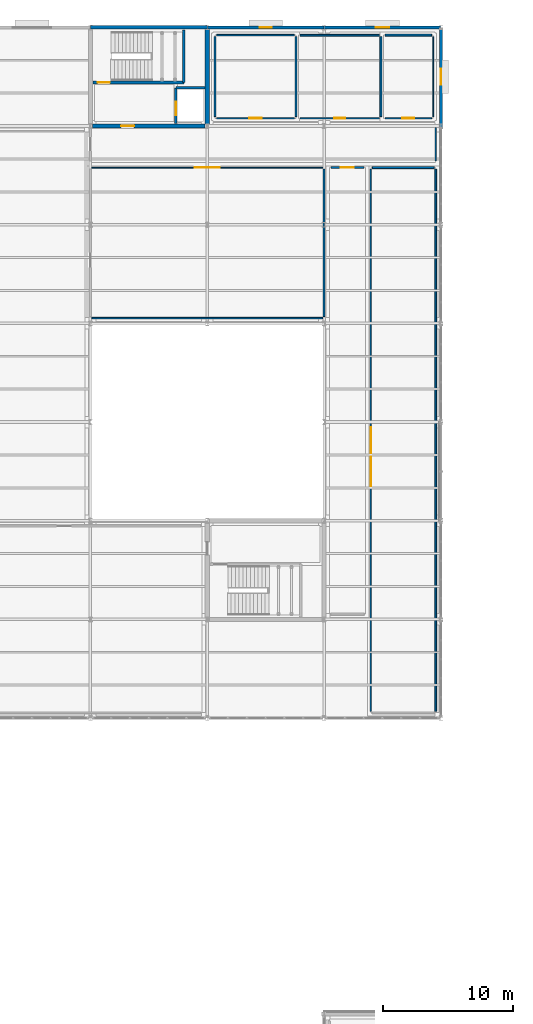
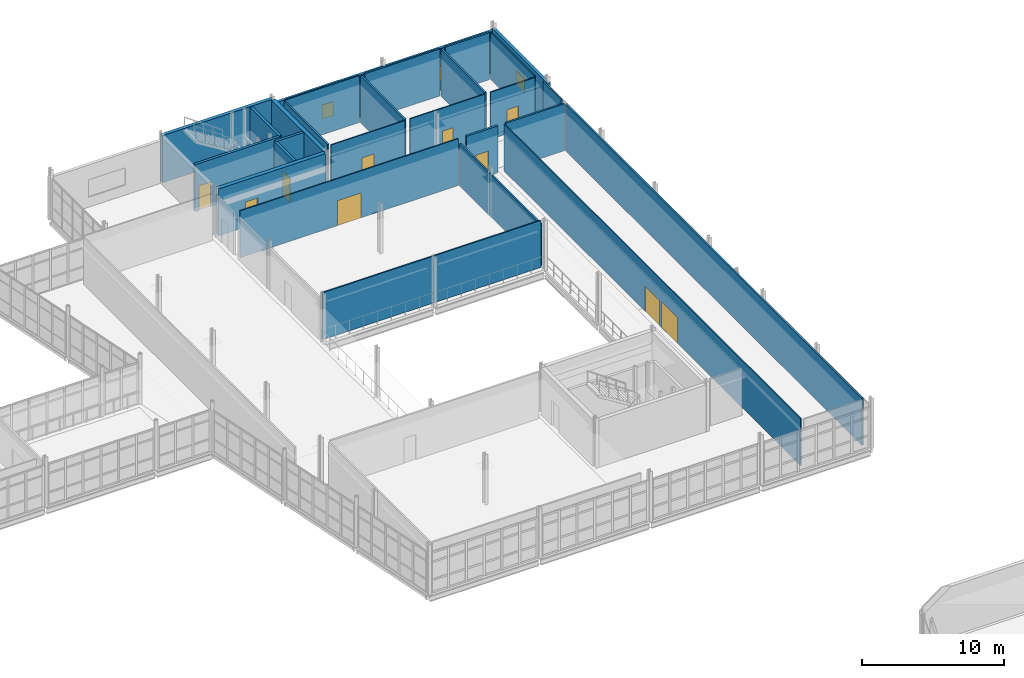
# One storey, part 163 of 174: 28 walls, 10 doors, 3 windows, 13 openings.
"""IFC4 building model written with IfcOpenShell, lengths in metres."""

from ifc_helpers import new_model, si_unit, direction, frame, frame_2d, origin, place, context, subcontext, project, spatial, rectangle, extrude, material, layer, layer_set, type_object, element, fill, save


model = new_model("IFC4")

# Units and contexts
model_context = context("Model", 3, precision=1e-05, world=origin(), true_north=direction((0.0, 1.0)))
body_context = subcontext(model_context, "Body", "Model", "MODEL_VIEW")
ifc_project = project(units=[si_unit("LENGTHUNIT", "METRE"), si_unit("AREAUNIT", "SQUARE_METRE"), si_unit("VOLUMEUNIT", "CUBIC_METRE"), si_unit("PLANEANGLEUNIT", "RADIAN"), si_unit("MASSUNIT", "GRAM", prefix="KILO")], contexts=[model_context])

# Site, building, storey
site_placement = place(None, origin())
site = spatial("IfcSite", under=ifc_project, at=site_placement, CompositionType="ELEMENT")
building_placement = place(site_placement, origin())
building = spatial("IfcBuilding", under=site, at=building_placement, Name="Caisbarro Railhouse Central Library", CompositionType="ELEMENT")
storey_placement = place(building_placement, frame((0.0, 0.0, 5.0400390625)))
storey = spatial("IfcBuildingStorey", under=building, at=storey_placement, Name="L01", CompositionType="ELEMENT", Elevation=5.0400390625)

# Wall, opening, door
ifc_material_1 = material(Name="Concrete C40", Category="concrete")
ifc_layer_1 = layer(ifc_material_1, 0.320068359375, Name="Concrete C40")
ifc_layer_set_1 = layer_set([ifc_layer_1], Name="Concrete C40")
wall_type_1 = type_object("IfcWallType", Name="WAL-CW32", PredefinedType="SHEAR", material=ifc_layer_set_1)
wall_1_placement = place(storey_placement, frame((126.159912109375, 106.39990234375, 0.0), z_axis=(0.0, 0.0, 1.0), x_axis=(1.0, 0.0, 0.0)))
wall_1 = element("IfcWall", 1, at=wall_1_placement, inside=storey, type_object=wall_type_1, Name="CW32 RC core shear wall L01 #43", PredefinedType="SHEAR", context=body_context, shape_type="SweptSolid", body=[
    extrude(rectangle(XDim=8.68017578125, YDim=0.320068359375, at=frame_2d((4.340087890625, 0.0))), origin(), (0.0, 0.0, 1.0), 4.0400390625),
])
opening_1_placement = place(wall_1_placement, frame((2.199951171875, 0.0, 0.0)))
opening_1 = element("IfcOpeningElement", 2, at=opening_1_placement, cuts=wall_1, Name="Opening FD05", PredefinedType="OPENING", context=body_context, shape_type="SweptSolid", body=[
    extrude(rectangle(XDim=1.0, YDim=2.14990234375, at=frame_2d((0.5, 1.074951171875))), frame((0.0, 0.169921875, 0.0), z_axis=(0.0, -1.0, 0.0), x_axis=(1.0, 0.0, 0.0)), (0.0, 0.0, 1.0), 0.340087890625),
])
ifc_material_2 = material(Name="Fire-rated painted galvanised steel", Category="steel")
door_type_1 = type_object("IfcDoorType", Name="DR-FD05", OperationType="NOTDEFINED", PredefinedType="DOOR", material=ifc_material_2)
door_1_placement = place(opening_1_placement, origin())
door_1 = element("IfcDoor", 3, at=door_1_placement, inside=storey, type_object=door_type_1, Name="Core K3 Lobby Door FD05 L01-090", OperationType="SINGLE_SWING_RIGHT", OverallHeight=2.14990234375, OverallWidth=1.0, PredefinedType="DOOR", context=body_context, shape_type="SweptSolid", body=[
    extrude(rectangle(XDim=1.0, YDim=2.14990234375, at=frame_2d((0.5, 1.074951171875))), frame((0.0, 0.02490234375, 0.0), z_axis=(0.0, -1.0, 0.0), x_axis=(1.0, 0.0, 0.0)), (0.0, 0.0, 1.0), 0.050048828125),
])
fill(opening_1, door_1)

# Wall
wall_2_placement = place(storey_placement, frame((135.0, 106.56005859375, 0.0), z_axis=(0.0, 0.0, 1.0), x_axis=(0.0, 1.0, 0.0)))
element("IfcWall", 4, at=wall_2_placement, inside=storey, type_object=wall_type_1, Name="CW32 RC core shear wall L01 #45", PredefinedType="SHEAR", context=body_context, shape_type="SweptSolid", body=[
    extrude(rectangle(XDim=7.280029296875, YDim=0.320068359375, at=frame_2d((3.64013671875, 0.0))), origin(), (0.0, 0.0, 1.0), 4.0400390625),
])

# Wall, opening, window
ifc_material_3 = material(Name="Concrete C35 insulated architectural precast", Category="concrete")
ifc_layer_2 = layer(ifc_material_3, 0.239990234375, Name="Concrete C35 insulated architectural precast")
ifc_layer_set_2 = layer_set([ifc_layer_2], Name="Concrete C35 insulated architectural precast")
wall_type_2 = type_object("IfcWallType", Name="WAL-EW24", PredefinedType="STANDARD", material=ifc_layer_set_2)
wall_3_placement = place(storey_placement, frame((135.0, 114.0, 0.0), z_axis=(0.0, 0.0, 1.0), x_axis=(1.0, 0.0, 0.0)))
wall_3 = element("IfcWall", 5, at=wall_3_placement, inside=storey, type_object=wall_type_2, Name="EW24 exterior wall L01 #210", PredefinedType="STANDARD", context=body_context, shape_type="SweptSolid", body=[
    extrude(rectangle(XDim=9.0, YDim=0.239990234375, at=frame_2d((4.5, 0.0))), origin(), (0.0, 0.0, 1.0), 3.630859375),
])
opening_2_placement = place(wall_3_placement, frame((4.050048828125, 0.0, 0.85009765625)))
opening_2 = element("IfcOpeningElement", 6, at=opening_2_placement, cuts=wall_3, Name="Opening W01", PredefinedType="OPENING", context=body_context, shape_type="SweptSolid", body=[
    extrude(rectangle(XDim=0.89990234375, YDim=1.199951171875, at=frame_2d((0.449951171875, 0.60009765625))), frame((0.0, 0.1298828125, 0.0), z_axis=(0.0, -1.0, 0.0), x_axis=(1.0, 0.0, 0.0)), (0.0, 0.0, 1.0), 0.260009765625),
])
ifc_material_4 = material(Name="Double low-e laminated solar-control glass", Category="glass")
window_type_1 = type_object("IfcWindowType", Name="WIN-W01", PartitioningType="SINGLE_PANEL", PredefinedType="WINDOW", material=ifc_material_4)
window_1_placement = place(opening_2_placement, origin())
window_1 = element("IfcWindow", 7, at=window_1_placement, inside=storey, type_object=window_type_1, Name="W01 window L01-069", OverallHeight=1.199951171875, OverallWidth=0.89990234375, PartitioningType="SINGLE_PANEL", PredefinedType="WINDOW", context=body_context, shape_type="SweptSolid", body=[
    extrude(rectangle(XDim=0.89990234375, YDim=1.199951171875, at=frame_2d((0.449951171875, 0.60009765625))), frame((0.0, 0.030029296875, 0.0), z_axis=(0.0, -1.0, 0.0), x_axis=(1.0, 0.0, 0.0)), (0.0, 0.0, 1.0), 0.06005859375),
])
fill(opening_2, window_1)

wall_4_placement = place(storey_placement, frame((144.0, 114.0, 0.0), z_axis=(0.0, 0.0, 1.0), x_axis=(1.0, 0.0, 0.0)))
wall_4 = element("IfcWall", 8, at=wall_4_placement, inside=storey, type_object=wall_type_2, Name="EW24 exterior wall L01 #211", PredefinedType="STANDARD", context=body_context, shape_type="SweptSolid", body=[
    extrude(rectangle(XDim=9.0, YDim=0.239990234375, at=frame_2d((4.5, 0.0))), origin(), (0.0, 0.0, 1.0), 3.630859375),
])
opening_3_placement = place(wall_4_placement, frame((3.97509765625, 0.0, 0.85009765625)))
opening_3 = element("IfcOpeningElement", 9, at=opening_3_placement, cuts=wall_4, Name="Opening W02", PredefinedType="OPENING", context=body_context, shape_type="SweptSolid", body=[
    extrude(rectangle(XDim=1.050048828125, YDim=1.199951171875, at=frame_2d((0.52490234375, 0.60009765625))), frame((0.0, 0.1298828125, 0.0), z_axis=(0.0, -1.0, 0.0), x_axis=(1.0, 0.0, 0.0)), (0.0, 0.0, 1.0), 0.260009765625),
])
window_type_2 = type_object("IfcWindowType", Name="WIN-W02", PartitioningType="SINGLE_PANEL", PredefinedType="WINDOW", material=ifc_material_4)
window_2_placement = place(opening_3_placement, origin())
window_2 = element("IfcWindow", 10, at=window_2_placement, inside=storey, type_object=window_type_2, Name="W02 window L01-070", OverallHeight=1.199951171875, OverallWidth=1.050048828125, PartitioningType="SINGLE_PANEL", PredefinedType="WINDOW", context=body_context, shape_type="SweptSolid", body=[
    extrude(rectangle(XDim=1.050048828125, YDim=1.199951171875, at=frame_2d((0.52490234375, 0.60009765625))), frame((0.0, 0.030029296875, 0.0), z_axis=(0.0, -1.0, 0.0), x_axis=(1.0, 0.0, 0.0)), (0.0, 0.0, 1.0), 0.06005859375),
])
fill(opening_3, window_2)

wall_5_placement = place(storey_placement, frame((153.0, 106.18994140625, 0.0), z_axis=(0.0, 0.0, 1.0), x_axis=(0.0, 1.0, 0.0)))
wall_5 = element("IfcWall", 11, at=wall_5_placement, inside=storey, type_object=wall_type_2, Name="EW24 exterior wall L01 #212", PredefinedType="STANDARD", context=body_context, shape_type="SweptSolid", body=[
    extrude(rectangle(XDim=7.81005859375, YDim=0.239990234375, at=frame_2d((3.905029296875, 0.0))), origin(), (0.0, 0.0, 1.0), 3.787841796875),
])
opening_4_placement = place(wall_5_placement, frame((3.409912109375, 0.0, 0.85009765625)))
opening_4 = element("IfcOpeningElement", 12, at=opening_4_placement, cuts=wall_5, Name="Opening W03", PredefinedType="OPENING", context=body_context, shape_type="SweptSolid", body=[
    extrude(rectangle(XDim=1.199951171875, YDim=1.199951171875, at=frame_2d((0.60009765625, 0.60009765625))), frame((0.0, 0.1298828125, 0.0), z_axis=(0.0, -1.0, 0.0), x_axis=(1.0, 0.0, 0.0)), (0.0, 0.0, 1.0), 0.260009765625),
])
window_type_3 = type_object("IfcWindowType", Name="WIN-W03", PartitioningType="SINGLE_PANEL", PredefinedType="WINDOW", material=ifc_material_4)
window_3_placement = place(opening_4_placement, origin())
window_3 = element("IfcWindow", 13, at=window_3_placement, inside=storey, type_object=window_type_3, Name="W03 window L01-071", OverallHeight=1.199951171875, OverallWidth=1.199951171875, PartitioningType="SINGLE_PANEL", PredefinedType="WINDOW", context=body_context, shape_type="SweptSolid", body=[
    extrude(rectangle(XDim=1.199951171875, YDim=1.199951171875, at=frame_2d((0.60009765625, 0.60009765625))), frame((0.0, 0.030029296875, 0.0), z_axis=(0.0, -1.0, 0.0), x_axis=(1.0, 0.0, 0.0)), (0.0, 0.0, 1.0), 0.06005859375),
])
fill(opening_4, window_3)

# Wall
ifc_layer_3 = layer(ifc_material_1, 0.280029296875, Name="Concrete C40")
ifc_layer_set_3 = layer_set([ifc_layer_3], Name="Concrete C40")
wall_type_3 = type_object("IfcWallType", Name="WAL-EW28", PredefinedType="SOLIDWALL", material=ifc_layer_set_3)
wall_6_placement = place(storey_placement, frame((126.0, 114.0, 0.0), z_axis=(0.0, 0.0, 1.0), x_axis=(1.0, 0.0, 0.0)))
element("IfcWall", 14, at=wall_6_placement, inside=storey, type_object=wall_type_3, Name="EW28 exterior wall L01 #209", PredefinedType="SOLIDWALL", context=body_context, shape_type="SweptSolid", body=[
    extrude(rectangle(XDim=9.0, YDim=0.280029296875, at=frame_2d((4.5, 0.0))), origin(), (0.0, 0.0, 1.0), 4.06005859375),
])

# Wall, opening, door
ifc_material_5 = material(Name="Acoustic gypsum board on galvanised steel studs", Category="steel")
ifc_layer_4 = layer(ifc_material_5, 0.090087890625, Name="Acoustic gypsum board on galvanised steel studs")
ifc_layer_set_4 = layer_set([ifc_layer_4], Name="Acoustic gypsum board on galvanised steel studs")
wall_type_4 = type_object("IfcWallType", Name="WAL-IW09", PredefinedType="PARTITIONING", material=ifc_layer_set_4)
wall_7_placement = place(storey_placement, frame((126.1201171875, 103.199951171875, 0.0), z_axis=(0.0, 0.0, 1.0), x_axis=(1.0, 0.0, 0.0)))
wall_7 = element("IfcWall", 15, at=wall_7_placement, inside=storey, type_object=wall_type_4, Name="IW09 partition wall L01 #435", PredefinedType="PARTITIONING", context=body_context, shape_type="SweptSolid", body=[
    extrude(rectangle(XDim=17.759765625, YDim=0.090087890625, at=frame_2d((8.8798828125, 0.0))), origin(), (0.0, 0.0, 1.0), 4.0400390625),
])
opening_5_placement = place(wall_7_placement, frame((7.9150390625, 0.0, 0.0)))
opening_5 = element("IfcOpeningElement", 16, at=opening_5_placement, cuts=wall_7, Name="Opening ID38", PredefinedType="OPENING", context=body_context, shape_type="SweptSolid", body=[
    extrude(rectangle(XDim=1.929931640625, YDim=2.14990234375, at=frame_2d((0.96484375, 1.074951171875))), frame((0.0, 0.05517578125, 0.0), z_axis=(0.0, -1.0, 0.0), x_axis=(1.0, 0.0, 0.0)), (0.0, 0.0, 1.0), 0.110107421875),
])
ifc_material_6 = material(Name="Solid-core tropical hardwood veneer", Category="wood")
door_type_2 = type_object("IfcDoorType", Name="DR-ID38", OperationType="NOTDEFINED", PredefinedType="DOOR", material=ifc_material_6)
door_2_placement = place(opening_5_placement, origin())
door_2 = element("IfcDoor", 17, at=door_2_placement, inside=storey, type_object=door_type_2, Name="Atrium North Seminar Room L01 Door ID38 L01-257", OperationType="SINGLE_SWING_LEFT", OverallHeight=2.14990234375, OverallWidth=1.929931640625, PredefinedType="DOOR", context=body_context, shape_type="SweptSolid", body=[
    extrude(rectangle(XDim=1.929931640625, YDim=2.14990234375, at=frame_2d((0.96484375, 1.074951171875))), frame((0.0, 0.02490234375, 0.0), z_axis=(0.0, -1.0, 0.0), x_axis=(1.0, 0.0, 0.0)), (0.0, 0.0, 1.0), 0.050048828125),
])
fill(opening_5, door_2)

# Wall, openings, doors
wall_8_placement = place(storey_placement, frame((147.60009765625, 61.320068359375, 0.0), z_axis=(0.0, 0.0, 1.0), x_axis=(0.0, 1.0, 0.0)))
wall_8 = element("IfcWall", 18, at=wall_8_placement, inside=storey, type_object=wall_type_4, Name="IW09 partition wall L01 #439", PredefinedType="PARTITIONING", context=body_context, shape_type="SweptSolid", body=[
    extrude(rectangle(XDim=41.760009765625, YDim=0.090087890625, at=frame_2d((20.8798828125, 0.0))), origin(), (0.0, 0.0, 1.0), 4.0400390625),
])
opening_6_placement = place(wall_8_placement, frame((19.864990234375, 0.0, 0.0)))
opening_6 = element("IfcOpeningElement", 19, at=opening_6_placement, cuts=wall_8, Name="Opening ID39", PredefinedType="OPENING", context=body_context, shape_type="SweptSolid", body=[
    extrude(rectangle(XDim=2.030029296875, YDim=2.14990234375, at=frame_2d((1.01513671875, 1.074951171875))), frame((0.0, 0.05517578125, 0.0), z_axis=(0.0, -1.0, 0.0), x_axis=(1.0, 0.0, 0.0)), (0.0, 0.0, 1.0), 0.110107421875),
])
opening_7_placement = place(wall_8_placement, frame((17.340087890625, 0.0, 0.0)))
opening_7 = element("IfcOpeningElement", 20, at=opening_7_placement, cuts=wall_8, Name="Opening ID56", PredefinedType="OPENING", context=body_context, shape_type="SweptSolid", body=[
    extrude(rectangle(XDim=2.280029296875, YDim=2.199951171875, at=frame_2d((1.14013671875, 1.10009765625))), frame((0.0, 0.05517578125, 0.0), z_axis=(0.0, -1.0, 0.0), x_axis=(1.0, 0.0, 0.0)), (0.0, 0.0, 1.0), 0.110107421875),
])
door_type_3 = type_object("IfcDoorType", Name="DR-ID39", OperationType="NOTDEFINED", PredefinedType="DOOR", material=ifc_material_6)
door_3_placement = place(opening_6_placement, origin())
door_3 = element("IfcDoor", 21, at=door_3_placement, inside=storey, type_object=door_type_3, Name="Graduate Study Carrels L01 Door ID39 L01-258", OperationType="SINGLE_SWING_RIGHT", OverallHeight=2.14990234375, OverallWidth=2.030029296875, PredefinedType="DOOR", context=body_context, shape_type="SweptSolid", body=[
    extrude(rectangle(XDim=2.030029296875, YDim=2.14990234375, at=frame_2d((1.01513671875, 1.074951171875))), frame((0.0, 0.02490234375, 0.0), z_axis=(0.0, -1.0, 0.0), x_axis=(1.0, 0.0, 0.0)), (0.0, 0.0, 1.0), 0.050048828125),
])
fill(opening_6, door_3)
door_type_4 = type_object("IfcDoorType", Name="DR-ID56", OperationType="NOTDEFINED", PredefinedType="DOOR", material=ifc_material_6)
door_4_placement = place(opening_7_placement, origin())
door_4 = element("IfcDoor", 22, at=door_4_placement, inside=storey, type_object=door_type_4, Name="Atrium East Promenade Corridor L01 Door ID56 L01-272", OperationType="SINGLE_SWING_RIGHT", OverallHeight=2.199951171875, OverallWidth=2.280029296875, PredefinedType="DOOR", context=body_context, shape_type="SweptSolid", body=[
    extrude(rectangle(XDim=2.280029296875, YDim=2.199951171875, at=frame_2d((1.14013671875, 1.10009765625))), frame((0.0, 0.02490234375, 0.0), z_axis=(0.0, -1.0, 0.0), x_axis=(1.0, 0.0, 0.0)), (0.0, 0.0, 1.0), 0.050048828125),
])
fill(opening_7, door_4)

# Wall, opening, door
wall_9_placement = place(storey_placement, frame((135.719970703125, 107.0, 0.0), z_axis=(0.0, 0.0, 1.0), x_axis=(1.0, 0.0, 0.0)))
wall_9 = element("IfcWall", 23, at=wall_9_placement, inside=storey, type_object=wall_type_4, Name="IW09 partition wall L01 #443", PredefinedType="PARTITIONING", context=body_context, shape_type="SweptSolid", body=[
    extrude(rectangle(XDim=5.99609375, YDim=0.090087890625, at=frame_2d((2.998046875, 0.0))), origin(), (0.0, 0.0, 1.0), 4.0400390625),
])
opening_8_placement = place(wall_9_placement, frame((2.508056640625, 0.0, 0.0)))
opening_8 = element("IfcOpeningElement", 24, at=opening_8_placement, cuts=wall_9, Name="Opening ID04", PredefinedType="OPENING", context=body_context, shape_type="SweptSolid", body=[
    extrude(rectangle(XDim=0.97998046875, YDim=2.06005859375, at=frame_2d((0.489990234375, 1.030029296875))), frame((0.0, 0.05517578125, 0.0), z_axis=(0.0, -1.0, 0.0), x_axis=(1.0, 0.0, 0.0)), (0.0, 0.0, 1.0), 0.110107421875),
])
door_type_5 = type_object("IfcDoorType", Name="DR-ID04", OperationType="NOTDEFINED", PredefinedType="DOOR", material=ifc_material_6)
door_5_placement = place(opening_8_placement, origin())
door_5 = element("IfcDoor", 25, at=door_5_placement, inside=storey, type_object=door_type_5, Name="Male WC L01-V4 Door ID04 L01-259", OperationType="SINGLE_SWING_LEFT", OverallHeight=2.06005859375, OverallWidth=0.97998046875, PredefinedType="DOOR", context=body_context, shape_type="SweptSolid", body=[
    extrude(rectangle(XDim=0.97998046875, YDim=2.06005859375, at=frame_2d((0.489990234375, 1.030029296875))), frame((0.0, 0.02490234375, 0.0), z_axis=(0.0, -1.0, 0.0), x_axis=(1.0, 0.0, 0.0)), (0.0, 0.0, 1.0), 0.050048828125),
])
fill(opening_8, door_5)

wall_10_placement = place(storey_placement, frame((142.156005859375, 107.0, 0.0), z_axis=(0.0, 0.0, 1.0), x_axis=(1.0, 0.0, 0.0)))
wall_10 = element("IfcWall", 26, at=wall_10_placement, inside=storey, type_object=wall_type_4, Name="IW09 partition wall L01 #447", PredefinedType="PARTITIONING", context=body_context, shape_type="SweptSolid", body=[
    extrude(rectangle(XDim=6.095947265625, YDim=0.090087890625, at=frame_2d((3.0478515625, 0.0))), origin(), (0.0, 0.0, 1.0), 4.0400390625),
])
opening_9_placement = place(wall_10_placement, frame((2.617919921875, 0.0, 0.0)))
opening_9 = element("IfcOpeningElement", 27, at=opening_9_placement, cuts=wall_10, Name="Opening ID01", PredefinedType="OPENING", context=body_context, shape_type="SweptSolid", body=[
    extrude(rectangle(XDim=0.860107421875, YDim=2.06005859375, at=frame_2d((0.43017578125, 1.030029296875))), frame((0.0, 0.05517578125, 0.0), z_axis=(0.0, -1.0, 0.0), x_axis=(1.0, 0.0, 0.0)), (0.0, 0.0, 1.0), 0.110107421875),
])
door_type_6 = type_object("IfcDoorType", Name="DR-ID01", OperationType="NOTDEFINED", PredefinedType="DOOR", material=ifc_material_6)
door_6_placement = place(opening_9_placement, origin())
door_6 = element("IfcDoor", 28, at=door_6_placement, inside=storey, type_object=door_type_6, Name="Female WC L01-V4 Door ID01 L01-260", OperationType="SINGLE_SWING_RIGHT", OverallHeight=2.06005859375, OverallWidth=0.860107421875, PredefinedType="DOOR", context=body_context, shape_type="SweptSolid", body=[
    extrude(rectangle(XDim=0.860107421875, YDim=2.06005859375, at=frame_2d((0.43017578125, 1.030029296875))), frame((0.0, 0.02490234375, 0.0), z_axis=(0.0, -1.0, 0.0), x_axis=(1.0, 0.0, 0.0)), (0.0, 0.0, 1.0), 0.050048828125),
])
fill(opening_9, door_6)

# Walls
wall_11_placement = place(storey_placement, frame((152.39990234375, 107.1201171875, 0.0), z_axis=(0.0, 0.0, 1.0), x_axis=(0.0, 1.0, 0.0)))
element("IfcWall", 29, at=wall_11_placement, inside=storey, type_object=wall_type_4, Name="IW09 partition wall L01 #451", PredefinedType="PARTITIONING", context=body_context, shape_type="SweptSolid", body=[
    extrude(rectangle(XDim=6.159912109375, YDim=0.090087890625, at=frame_2d((3.080078125, 0.0))), origin(), (0.0, 0.0, 1.0), 4.0400390625),
])
ifc_layer_5 = layer(ifc_material_5, 0.110107421875, Name="Acoustic gypsum board on galvanised steel studs")
ifc_layer_set_5 = layer_set([ifc_layer_5], Name="Acoustic gypsum board on galvanised steel studs")
wall_type_5 = type_object("IfcWallType", Name="WAL-IW11", PredefinedType="PARTITIONING", material=ifc_layer_set_5)
wall_12_placement = place(storey_placement, frame((126.1201171875, 91.60009765625, 0.0), z_axis=(0.0, 0.0, 1.0), x_axis=(1.0, 0.0, 0.0)))
element("IfcWall", 30, at=wall_12_placement, inside=storey, type_object=wall_type_5, Name="IW11 partition wall L01 #438", PredefinedType="PARTITIONING", context=body_context, shape_type="SweptSolid", body=[
    extrude(rectangle(XDim=17.759765625, YDim=0.110107421875, at=frame_2d((8.8798828125, 0.0))), origin(), (0.0, 0.0, 1.0), 4.0400390625),
])
wall_13_placement = place(storey_placement, frame((135.719970703125, 113.39990234375, 0.0), z_axis=(0.0, 0.0, 1.0), x_axis=(1.0, 0.0, 0.0)))
element("IfcWall", 31, at=wall_13_placement, inside=storey, type_object=wall_type_5, Name="IW11 partition wall L01 #446", PredefinedType="PARTITIONING", context=body_context, shape_type="SweptSolid", body=[
    extrude(rectangle(XDim=5.99609375, YDim=0.110107421875, at=frame_2d((2.998046875, 0.0))), origin(), (0.0, 0.0, 1.0), 4.0400390625),
])

# Wall, opening, door
wall_14_placement = place(storey_placement, frame((148.69189453125, 107.0, 0.0), z_axis=(0.0, 0.0, 1.0), x_axis=(1.0, 0.0, 0.0)))
wall_14 = element("IfcWall", 32, at=wall_14_placement, inside=storey, type_object=wall_type_5, Name="IW11 partition wall L01 #450", PredefinedType="PARTITIONING", context=body_context, shape_type="SweptSolid", body=[
    extrude(rectangle(XDim=3.588134765625, YDim=0.110107421875, at=frame_2d((1.7939453125, 0.0))), origin(), (0.0, 0.0, 1.0), 4.0400390625),
])
opening_10_placement = place(wall_14_placement, frame((1.343994140625, 0.0, 0.0)))
opening_10 = element("IfcOpeningElement", 33, at=opening_10_placement, cuts=wall_14, Name="Opening ID02", PredefinedType="OPENING", context=body_context, shape_type="SweptSolid", body=[
    extrude(rectangle(XDim=0.89990234375, YDim=2.06005859375, at=frame_2d((0.449951171875, 1.030029296875))), frame((0.0, 0.06494140625, 0.0), z_axis=(0.0, -1.0, 0.0), x_axis=(1.0, 0.0, 0.0)), (0.0, 0.0, 1.0), 0.130126953125),
])
door_type_7 = type_object("IfcDoorType", Name="DR-ID02", OperationType="NOTDEFINED", PredefinedType="DOOR", material=ifc_material_6)
door_7_placement = place(opening_10_placement, origin())
door_7 = element("IfcDoor", 34, at=door_7_placement, inside=storey, type_object=door_type_7, Name="Accessible WC L01-V4 Door ID02 L01-261", OperationType="SINGLE_SWING_LEFT", OverallHeight=2.06005859375, OverallWidth=0.89990234375, PredefinedType="DOOR", context=body_context, shape_type="SweptSolid", body=[
    extrude(rectangle(XDim=0.89990234375, YDim=2.06005859375, at=frame_2d((0.449951171875, 1.030029296875))), frame((0.0, 0.02490234375, 0.0), z_axis=(0.0, -1.0, 0.0), x_axis=(1.0, 0.0, 0.0)), (0.0, 0.0, 1.0), 0.050048828125),
])
fill(opening_10, door_7)

# Walls
wall_15_placement = place(storey_placement, frame((152.60009765625, 103.719970703125, 0.0), z_axis=(0.0, 0.0, 1.0), x_axis=(0.0, 1.0, 0.0)))
element("IfcWall", 35, at=wall_15_placement, inside=storey, type_object=wall_type_5, Name="IW11 partition wall L01 #466", PredefinedType="PARTITIONING", context=body_context, shape_type="SweptSolid", body=[
    extrude(rectangle(XDim=2.56005859375, YDim=0.110107421875, at=frame_2d((1.280029296875, 0.0))), origin(), (0.0, 0.0, 1.0), 4.0400390625),
])
ifc_layer_6 = layer(ifc_material_5, 0.1298828125, Name="Acoustic gypsum board on galvanised steel studs")
ifc_layer_set_6 = layer_set([ifc_layer_6], Name="Acoustic gypsum board on galvanised steel studs")
wall_type_6 = type_object("IfcWallType", Name="WAL-IW13", PredefinedType="PARTITIONING", material=ifc_layer_set_6)
wall_16_placement = place(storey_placement, frame((144.0, 91.719970703125, 0.0), z_axis=(0.0, 0.0, 1.0), x_axis=(0.0, 1.0, 0.0)))
element("IfcWall", 36, at=wall_16_placement, inside=storey, type_object=wall_type_6, Name="IW13 partition wall L01 #437", PredefinedType="PARTITIONING", context=body_context, shape_type="SweptSolid", body=[
    extrude(rectangle(XDim=11.360107421875, YDim=0.1298828125, at=frame_2d((5.68017578125, 0.0))), origin(), (0.0, 0.0, 1.0), 3.630859375),
])
wall_17_placement = place(storey_placement, frame((152.60009765625, 61.320068359375, 0.0), z_axis=(0.0, 0.0, 1.0), x_axis=(0.0, 1.0, 0.0)))
element("IfcWall", 37, at=wall_17_placement, inside=storey, type_object=wall_type_6, Name="IW13 partition wall L01 #441", PredefinedType="PARTITIONING", context=body_context, shape_type="SweptSolid", body=[
    extrude(rectangle(XDim=41.760009765625, YDim=0.1298828125, at=frame_2d((20.8798828125, 0.0))), origin(), (0.0, 0.0, 1.0), 4.0400390625),
])
wall_18_placement = place(storey_placement, frame((135.60009765625, 107.1201171875, 0.0), z_axis=(0.0, 0.0, 1.0), x_axis=(0.0, 1.0, 0.0)))
element("IfcWall", 38, at=wall_18_placement, inside=storey, type_object=wall_type_6, Name="IW13 partition wall L01 #445", PredefinedType="PARTITIONING", context=body_context, shape_type="SweptSolid", body=[
    extrude(rectangle(XDim=6.159912109375, YDim=0.1298828125, at=frame_2d((3.080078125, 0.0))), origin(), (0.0, 0.0, 1.0), 4.0400390625),
])
wall_19_placement = place(storey_placement, frame((142.156005859375, 113.39990234375, 0.0), z_axis=(0.0, 0.0, 1.0), x_axis=(1.0, 0.0, 0.0)))
element("IfcWall", 39, at=wall_19_placement, inside=storey, type_object=wall_type_6, Name="IW13 partition wall L01 #449", PredefinedType="PARTITIONING", context=body_context, shape_type="SweptSolid", body=[
    extrude(rectangle(XDim=6.095947265625, YDim=0.1298828125, at=frame_2d((3.0478515625, 0.0))), origin(), (0.0, 0.0, 1.0), 4.0400390625),
])
ifc_layer_7 = layer(ifc_material_5, 0.14990234375, Name="Acoustic gypsum board on galvanised steel studs")
ifc_layer_set_7 = layer_set([ifc_layer_7], Name="Acoustic gypsum board on galvanised steel studs")
wall_type_7 = type_object("IfcWallType", Name="WAL-IW15", PredefinedType="PARTITIONING", material=ifc_layer_set_7)
wall_20_placement = place(storey_placement, frame((147.719970703125, 103.199951171875, 0.0), z_axis=(0.0, 0.0, 1.0), x_axis=(1.0, 0.0, 0.0)))
element("IfcWall", 40, at=wall_20_placement, inside=storey, type_object=wall_type_7, Name="IW15 partition wall L01 #440", PredefinedType="PARTITIONING", context=body_context, shape_type="SweptSolid", body=[
    extrude(rectangle(XDim=4.760009765625, YDim=0.14990234375, at=frame_2d((2.3798828125, 0.0))), origin(), (0.0, 0.0, 1.0), 4.0400390625),
])
for number, where, z_axis, x_axis, name in (
    (41, (141.8359375, 107.1201171875, 0.0), (0.0, 0.0, 1.0), (0.0, 1.0, 0.0), "IW15 partition wall L01 #444"),
    (42, (148.3720703125, 107.1201171875, 0.0), (0.0, 0.0, 1.0), (0.0, 1.0, 0.0), "IW15 partition wall L01 #448"),
):
    element("IfcWall", number, at=place(storey_placement, frame(where, z_axis=z_axis, x_axis=x_axis)), inside=storey, type_object=wall_type_7, Name=name, PredefinedType="PARTITIONING", context=body_context, shape_type="SweptSolid", body=[
        extrude(rectangle(XDim=6.159912109375, YDim=0.14990234375, at=frame_2d((3.080078125, 0.0))), origin(), (0.0, 0.0, 1.0), 4.0400390625),
    ])
wall_21_placement = place(storey_placement, frame((148.69189453125, 113.39990234375, 0.0), z_axis=(0.0, 0.0, 1.0), x_axis=(1.0, 0.0, 0.0)))
element("IfcWall", 43, at=wall_21_placement, inside=storey, type_object=wall_type_7, Name="IW15 partition wall L01 #452", PredefinedType="PARTITIONING", context=body_context, shape_type="SweptSolid", body=[
    extrude(rectangle(XDim=3.588134765625, YDim=0.14990234375, at=frame_2d((1.7939453125, 0.0))), origin(), (0.0, 0.0, 1.0), 4.0400390625),
])

# Wall, opening, door
ifc_material_7 = material(Name="Plastered cellular concrete masonry", Category="masonry")
ifc_layer_8 = layer(ifc_material_7, 0.169921875, Name="Plastered cellular concrete masonry")
ifc_layer_set_8 = layer_set([ifc_layer_8], Name="Plastered cellular concrete masonry")
wall_type_8 = type_object("IfcWallType", Name="WAL-IW17", PredefinedType="PARTITIONING", material=ifc_layer_set_8)
wall_22_placement = place(storey_placement, frame((144.52001953125, 103.199951171875, 0.0), z_axis=(0.0, 0.0, 1.0), x_axis=(1.0, 0.0, 0.0)))
wall_22 = element("IfcWall", 44, at=wall_22_placement, inside=storey, type_object=wall_type_8, Name="IW17 partition wall L01 #373", PredefinedType="PARTITIONING", context=body_context, shape_type="SweptSolid", body=[
    extrude(rectangle(XDim=2.56005859375, YDim=0.169921875, at=frame_2d((1.280029296875, 0.0))), origin(), (0.0, 0.0, 1.0), 4.0400390625),
])
opening_11_placement = place(wall_22_placement, frame((0.780029296875, 0.0, 0.0)))
opening_11 = element("IfcOpeningElement", 45, at=opening_11_placement, cuts=wall_22, Name="Opening FD05", PredefinedType="OPENING", context=body_context, shape_type="SweptSolid", body=[
    extrude(rectangle(XDim=1.0, YDim=2.14990234375, at=frame_2d((0.5, 1.074951171875))), frame((0.0, 0.094970703125, 0.0), z_axis=(0.0, -1.0, 0.0), x_axis=(1.0, 0.0, 0.0)), (0.0, 0.0, 1.0), 0.18994140625),
])
door_8_placement = place(opening_11_placement, origin())
door_8 = element("IfcDoor", 46, at=door_8_placement, inside=storey, type_object=door_type_1, Name="Atrium East Promenade Egress Door FD05 L01-232", OperationType="SINGLE_SWING_RIGHT", OverallHeight=2.14990234375, OverallWidth=1.0, PredefinedType="DOOR", context=body_context, shape_type="SweptSolid", body=[
    extrude(rectangle(XDim=1.0, YDim=2.14990234375, at=frame_2d((0.5, 1.074951171875))), frame((0.0, 0.02490234375, 0.0), z_axis=(0.0, -1.0, 0.0), x_axis=(1.0, 0.0, 0.0)), (0.0, 0.0, 1.0), 0.050048828125),
])
fill(opening_11, door_8)

ifc_layer_9 = layer(ifc_material_1, 0.2099609375, Name="Concrete C40")
ifc_layer_set_9 = layer_set([ifc_layer_9], Name="Concrete C40")
wall_type_9 = type_object("IfcWallType", Name="WAL-SW21", PredefinedType="SOLIDWALL", material=ifc_layer_set_9)
wall_23_placement = place(storey_placement, frame((126.199951171875, 109.75, 0.0), z_axis=(0.0, 0.0, 1.0), x_axis=(1.0, 0.0, 0.0)))
wall_23 = element("IfcWall", 47, at=wall_23_placement, inside=storey, type_object=wall_type_9, Name="SW21 core shaft wall L01 #103", PredefinedType="SOLIDWALL", context=body_context, shape_type="SweptSolid", body=[
    extrude(rectangle(XDim=7.0, YDim=0.2099609375, at=frame_2d((3.5, 0.0))), origin(), (0.0, 0.0, 1.0), 4.0400390625),
])
opening_12_placement = place(wall_23_placement, frame((0.35009765625, 0.0, 0.0)))
opening_12 = element("IfcOpeningElement", 48, at=opening_12_placement, cuts=wall_23, Name="Opening FD01", PredefinedType="OPENING", context=body_context, shape_type="SweptSolid", body=[
    extrude(rectangle(XDim=0.949951171875, YDim=2.1201171875, at=frame_2d((0.47509765625, 1.06005859375))), frame((0.0, 0.114990234375, 0.0), z_axis=(0.0, -1.0, 0.0), x_axis=(1.0, 0.0, 0.0)), (0.0, 0.0, 1.0), 0.22998046875),
])
door_type_8 = type_object("IfcDoorType", Name="DR-FD01", OperationType="NOTDEFINED", PredefinedType="DOOR", material=ifc_material_2)
door_9_placement = place(opening_12_placement, origin())
door_9 = element("IfcDoor", 49, at=door_9_placement, inside=storey, type_object=door_type_8, Name="Stair ST-03 Fire Door FD01 L01-088", OperationType="SINGLE_SWING_LEFT", OverallHeight=2.1201171875, OverallWidth=0.949951171875, PredefinedType="DOOR", context=body_context, shape_type="SweptSolid", body=[
    extrude(rectangle(XDim=0.949951171875, YDim=2.1201171875, at=frame_2d((0.47509765625, 1.06005859375))), frame((0.0, 0.02490234375, 0.0), z_axis=(0.0, -1.0, 0.0), x_axis=(1.0, 0.0, 0.0)), (0.0, 0.0, 1.0), 0.050048828125),
])
fill(opening_12, door_9)

# Wall
wall_24_placement = place(storey_placement, frame((133.199951171875, 109.75, 0.0), z_axis=(0.0, 0.0, 1.0), x_axis=(0.0, 1.0, 0.0)))
element("IfcWall", 50, at=wall_24_placement, inside=storey, type_object=wall_type_9, Name="SW21 core shaft wall L01 #104", PredefinedType="SOLIDWALL", context=body_context, shape_type="SweptSolid", body=[
    extrude(rectangle(XDim=4.050048828125, YDim=0.2099609375, at=frame_2d((2.02490234375, 0.0))), origin(), (0.0, 0.0, 1.0), 4.0400390625),
])

# Wall, opening, door
wall_25_placement = place(storey_placement, frame((132.580078125, 106.60009765625, 0.0), z_axis=(0.0, 0.0, 1.0), x_axis=(0.0, 1.0, 0.0)))
wall_25 = element("IfcWall", 51, at=wall_25_placement, inside=storey, type_object=wall_type_9, Name="SW21 core shaft wall L01 #105", PredefinedType="SOLIDWALL", context=body_context, shape_type="SweptSolid", body=[
    extrude(rectangle(XDim=2.75, YDim=0.2099609375, at=frame_2d((1.375, 0.0))), origin(), (0.0, 0.0, 1.0), 4.0400390625),
])
opening_13_placement = place(wall_25_placement, frame((0.64990234375, 0.0, 0.0)))
opening_13 = element("IfcOpeningElement", 52, at=opening_13_placement, cuts=wall_25, Name="Opening LD02", PredefinedType="OPENING", context=body_context, shape_type="SweptSolid", body=[
    extrude(rectangle(XDim=1.0400390625, YDim=2.10009765625, at=frame_2d((0.52001953125, 1.050048828125))), frame((0.0, 0.114990234375, 0.0), z_axis=(0.0, -1.0, 0.0), x_axis=(1.0, 0.0, 0.0)), (0.0, 0.0, 1.0), 0.22998046875),
])
ifc_material_8 = material(Name="Brushed stainless steel elevator cab", Category="steel")
door_type_9 = type_object("IfcDoorType", Name="DR-LD02", OperationType="NOTDEFINED", PredefinedType="DOOR", material=ifc_material_8)
door_10_placement = place(opening_13_placement, origin())
door_10 = element("IfcDoor", 53, at=door_10_placement, inside=storey, type_object=door_type_9, Name="Lift PL-02 Landing Door LD02 L01-089", OperationType="SLIDING_TO_LEFT", OverallHeight=2.10009765625, OverallWidth=1.0400390625, PredefinedType="DOOR", context=body_context, shape_type="SweptSolid", body=[
    extrude(rectangle(XDim=1.0400390625, YDim=2.10009765625, at=frame_2d((0.52001953125, 1.050048828125))), frame((0.0, 0.02490234375, 0.0), z_axis=(0.0, -1.0, 0.0), x_axis=(1.0, 0.0, 0.0)), (0.0, 0.0, 1.0), 0.050048828125),
])
fill(opening_13, door_10)

# Wall
wall_26_placement = place(storey_placement, frame((132.580078125, 109.35009765625, 0.0), z_axis=(0.0, 0.0, 1.0), x_axis=(1.0, 0.0, 0.0)))
element("IfcWall", 54, at=wall_26_placement, inside=storey, type_object=wall_type_9, Name="SW21 core shaft wall L01 #106", PredefinedType="SOLIDWALL", context=body_context, shape_type="SweptSolid", body=[
    extrude(rectangle(XDim=2.239990234375, YDim=0.2099609375, at=frame_2d((1.1201171875, 0.0))), origin(), (0.0, 0.0, 1.0), 4.0400390625),
])

save(model, "model.ifc")
